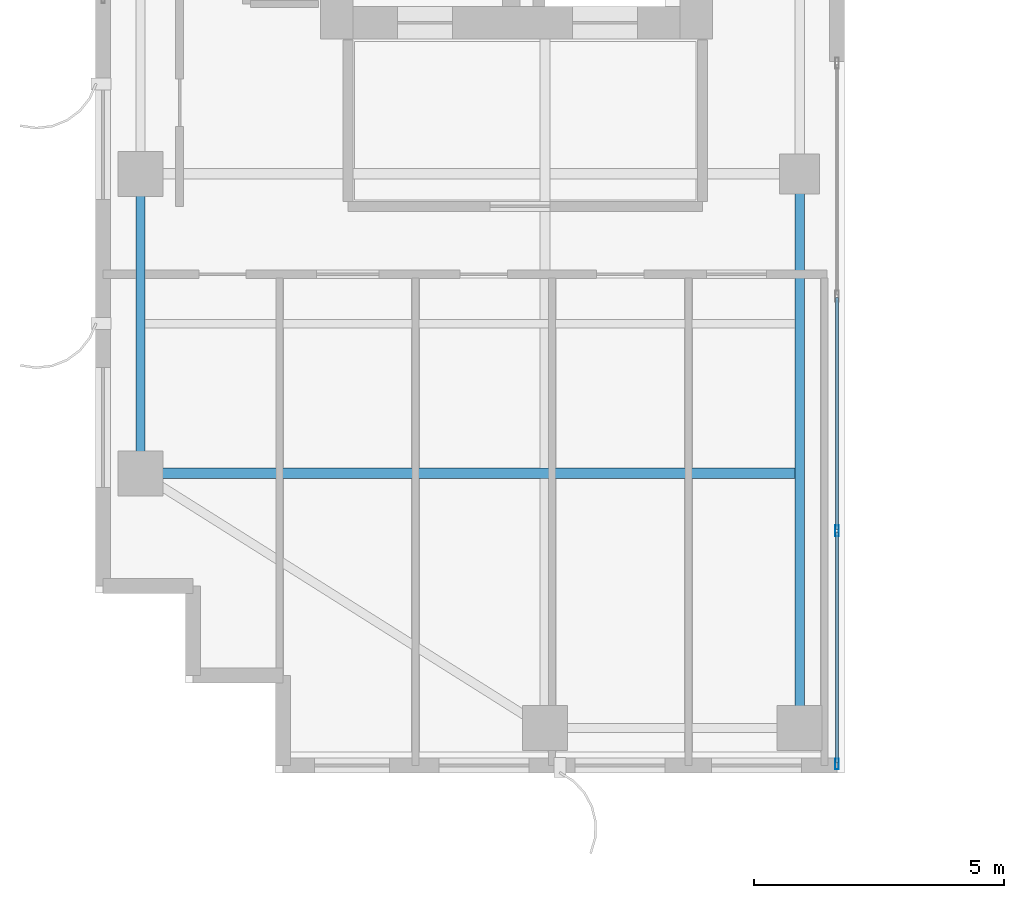
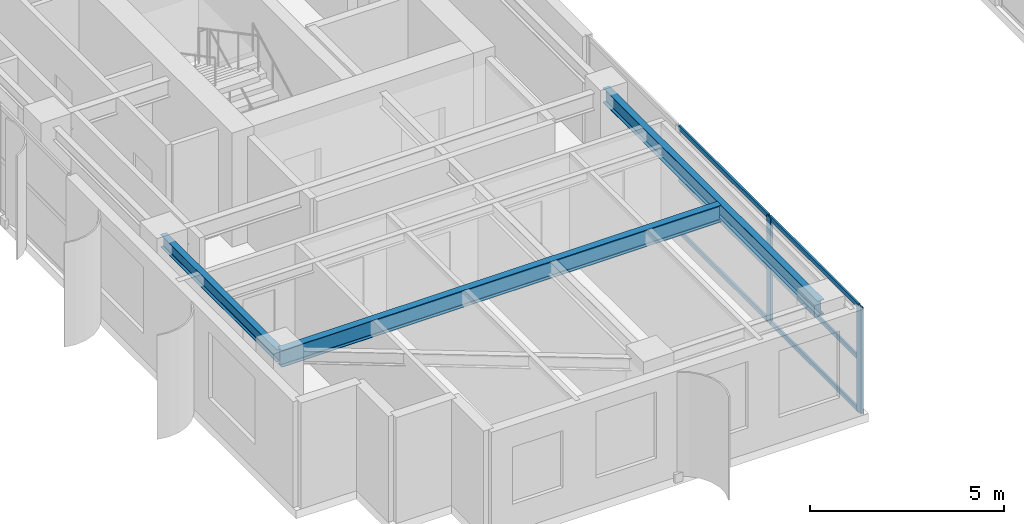
# One storey, part 2 of 22: 8 members, 3 beams, 1 element without a shape of its own.
"""IFC4 building model written with IfcOpenShell, lengths in metres."""

from ifc_helpers import new_model, si_unit, direction, frame, origin, origin_2d, place, context, subcontext, project, spatial, hollow_rectangle, i_section, extrude, source, transform, mapped, material, layer, layer_set, material_profile, profile_set, type_object, element, aggregate, save


model = new_model("IFC4")

# Units and contexts
model_context = context("Model", 3, precision=1e-05, world=origin(), true_north=direction((0.0, 1.0)))
body_context = subcontext(model_context, "Body", "Model", "MODEL_VIEW")
ifc_project = project(units=[si_unit("LENGTHUNIT", "METRE"), si_unit("AREAUNIT", "SQUARE_METRE"), si_unit("VOLUMEUNIT", "CUBIC_METRE"), si_unit("PLANEANGLEUNIT", "RADIAN"), si_unit("MASSUNIT", "GRAM", prefix="KILO")], contexts=[model_context])

# Site, building, storey
site_placement = place(None, origin())
site = spatial("IfcSite", under=ifc_project, at=site_placement, CompositionType="ELEMENT")
building_placement = place(site_placement, origin())
building = spatial("IfcBuilding", under=site, at=building_placement, Name="Khoralis Quay Care Tower", CompositionType="ELEMENT")
storey_placement = place(building_placement, frame((0.0, 0.0, 195.300048828125)))
storey = spatial("IfcBuildingStorey", under=building, at=storey_placement, Name="L51", CompositionType="ELEMENT", Elevation=195.300048828125)

# Beams
ifc_material_1 = material(Name="Steel S355", Category="steel")
ifc_material_profile_1 = material_profile(ifc_material_1, i_section(OverallWidth=0.179931640625, OverallDepth=0.39990234375, WebThickness=0.008544921875, FlangeThickness=0.013427734375, FilletRadius=0.02099609375, at=origin_2d()), Name="Steel S355")
ifc_profile_set_1 = profile_set([ifc_material_profile_1], Name="Steel S355")
beam_type_1 = type_object("IfcBeamType", Name="BM-IPE400", PredefinedType="SPANDREL", material=ifc_profile_set_1)
shared_shape_1 = source(origin(), body_context, "Body", "SweptSolid", [
    extrude(i_section(OverallWidth=0.179931640625, OverallDepth=0.39990234375, WebThickness=0.008544921875, FlangeThickness=0.013427734375, FilletRadius=0.02099609375, at=origin_2d()), origin(), (0.0, 0.0, 1.0), 6.0),
])
beam_1_placement = place(storey_placement, frame((3.89990234375, 6.0, 3.139892578125), z_axis=(0.0, 1.0, 0.0), x_axis=(-1.0, 0.0, 0.0)))
element("IfcBeam", 1, at=beam_1_placement, inside=storey, type_object=beam_type_1, Name="BM-TSP-L51-05", PredefinedType="SPANDREL", context=body_context, shape_type="MappedRepresentation", body=[
    mapped(shared_shape_1, transform((0.0, 0.0, 0.0), scale=1.0)),
])
ifc_material_profile_2 = material_profile(ifc_material_1, i_section(OverallWidth=0.208984375, OverallDepth=0.532958984375, WebThickness=0.01025390625, FlangeThickness=0.015625, FilletRadius=0.01611328125, at=origin_2d()), Name="Steel S355")
ifc_profile_set_2 = profile_set([ifc_material_profile_2], Name="Steel S355")
beam_type_2 = type_object("IfcBeamType", Name="BM-W530X92", PredefinedType="BEAM", material=ifc_profile_set_2)
shared_shape_2 = source(origin(), body_context, "Body", "SweptSolid", [
    extrude(i_section(OverallWidth=0.208984375, OverallDepth=0.532958984375, WebThickness=0.01025390625, FlangeThickness=0.015625, FilletRadius=0.01611328125, at=origin_2d()), origin(), (0.0, 0.0, 1.0), 13.1162109375),
])
beam_2_placement = place(storey_placement, frame((3.89990234375, 6.0, 3.073486328125), z_axis=(1.0, 0.0, 0.0), x_axis=(0.0, 1.0, 0.0)))
element("IfcBeam", 2, at=beam_2_placement, inside=storey, type_object=beam_type_2, Name="BM-TGXW-L51-60", PredefinedType="BEAM", context=body_context, shape_type="MappedRepresentation", body=[
    mapped(shared_shape_2, transform((0.0, 0.0, 0.0), scale=1.0)),
])
ifc_material_profile_3 = material_profile(ifc_material_1, i_section(OverallWidth=0.19189453125, OverallDepth=0.462890625, WebThickness=0.010498046875, FlangeThickness=0.017578125, FilletRadius=0.014892578125, at=origin_2d()), Name="Steel S355")
ifc_profile_set_3 = profile_set([ifc_material_profile_3], Name="Steel S355")
beam_type_3 = type_object("IfcBeamType", Name="BM-W460X89", PredefinedType="BEAM", material=ifc_profile_set_3)
shared_shape_3 = source(origin(), body_context, "Body", "SweptSolid", [
    extrude(i_section(OverallWidth=0.19189453125, OverallDepth=0.462890625, WebThickness=0.010498046875, FlangeThickness=0.017578125, FilletRadius=0.014892578125, at=origin_2d()), origin(), (0.0, 0.0, 1.0), 11.10009765625),
])
beam_3_placement = place(storey_placement, frame((17.10009765625, 0.89990234375, 3.1083984375), z_axis=(0.0, 1.0, 0.0), x_axis=(-1.0, 0.0, 0.0)))
element("IfcBeam", 3, at=beam_3_placement, inside=storey, type_object=beam_type_3, Name="BM-TGYS-L51-171", PredefinedType="BEAM", context=body_context, shape_type="MappedRepresentation", body=[
    mapped(shared_shape_3, transform((0.0, 0.0, 0.0), scale=1.0)),
])

# Curtain wall, members
ifc_material_2 = material(Name="Pale anodised aluminium", Category="aluminium")
ifc_layer = layer(ifc_material_2, 0.18994140625)
ifc_layer_set = layer_set([ifc_layer], Name="Pale anodised aluminium")
curtain_wall_type = type_object("IfcCurtainWallType", Name="CW-SYS-PORTAL", PredefinedType="NOTDEFINED", material=ifc_layer_set)
curtain_wall_placement = place(storey_placement, origin())
curtain_wall = element("IfcCurtainWall", 4, at=curtain_wall_placement, inside=storey, type_object=curtain_wall_type, Name="L51 Unitised Curtain Wall CW-VP-L51-P1-S", PredefinedType="NOTDEFINED")
ifc_material_profile_4 = material_profile(ifc_material_2, hollow_rectangle(XDim=0.06005859375, YDim=0.139892578125, WallThickness=0.00390625, at=origin_2d()), Name="Pale anodised aluminium")
ifc_profile_set_4 = profile_set([ifc_material_profile_4], Name="Pale anodised aluminium")
member_type_1 = type_object("IfcMemberType", Name="CW-TRN-140", PredefinedType="USERDEFINED", material=ifc_profile_set_4)
shared_shape_4 = source(origin(), body_context, "Body", "SweptSolid", [
    extrude(hollow_rectangle(XDim=0.06005859375, YDim=0.139892578125, WallThickness=0.00390625, at=origin_2d()), origin(), (0.0, 0.0, 1.0), 4.610107421875),
])
member_1_placement = place(storey_placement, frame((17.85009765625, 0.2099609375, 0.030029296875), z_axis=(0.0, 1.0, 0.0), x_axis=(-1.0, 0.0, 0.0)))
member_1 = element("IfcMember", 5, at=member_1_placement, type_object=member_type_1, Name="CW4 transom 1.1", ObjectType="TRANSOM", PredefinedType="USERDEFINED", context=body_context, shape_type="MappedRepresentation", body=[
    mapped(shared_shape_4, transform((0.0, 0.0, 0.0), scale=1.0)),
])
member_2_placement = place(storey_placement, frame((17.85009765625, 0.2099609375, 1.669921875), z_axis=(0.0, 1.0, 0.0), x_axis=(-1.0, 0.0, 0.0)))
member_2 = element("IfcMember", 6, at=member_2_placement, type_object=member_type_1, Name="CW4 transom 1.2", ObjectType="TRANSOM", PredefinedType="USERDEFINED", context=body_context, shape_type="MappedRepresentation", body=[
    mapped(shared_shape_4, transform((0.0, 0.0, 0.0), scale=1.0)),
])
member_3_placement = place(storey_placement, frame((17.85009765625, 0.2099609375, 3.31005859375), z_axis=(0.0, 1.0, 0.0), x_axis=(-1.0, 0.0, 0.0)))
member_3 = element("IfcMember", 7, at=member_3_placement, type_object=member_type_1, Name="CW4 transom 1.3", ObjectType="TRANSOM", PredefinedType="USERDEFINED", context=body_context, shape_type="MappedRepresentation", body=[
    mapped(shared_shape_4, transform((0.0, 0.0, 0.0), scale=1.0)),
])
shared_shape_5 = source(origin(), body_context, "Body", "SweptSolid", [
    extrude(hollow_rectangle(XDim=0.06005859375, YDim=0.139892578125, WallThickness=0.00390625, at=origin_2d()), origin(), (0.0, 0.0, 1.0), 4.64013671875),
])
member_4_placement = place(storey_placement, frame((17.85009765625, 4.8798828125, 0.030029296875), z_axis=(0.0, 1.0, 0.0), x_axis=(-1.0, 0.0, 0.0)))
member_4 = element("IfcMember", 8, at=member_4_placement, type_object=member_type_1, Name="CW4 transom 2.1", ObjectType="TRANSOM", PredefinedType="USERDEFINED", context=body_context, shape_type="MappedRepresentation", body=[
    mapped(shared_shape_5, transform((0.0, 0.0, 0.0), scale=1.0)),
])
member_5_placement = place(storey_placement, frame((17.85009765625, 4.8798828125, 1.669921875), z_axis=(0.0, 1.0, 0.0), x_axis=(-1.0, 0.0, 0.0)))
member_5 = element("IfcMember", 9, at=member_5_placement, type_object=member_type_1, Name="CW4 transom 2.2", ObjectType="TRANSOM", PredefinedType="USERDEFINED", context=body_context, shape_type="MappedRepresentation", body=[
    mapped(shared_shape_5, transform((0.0, 0.0, 0.0), scale=1.0)),
])
member_6_placement = place(storey_placement, frame((17.85009765625, 4.8798828125, 3.31005859375), z_axis=(0.0, 1.0, 0.0), x_axis=(-1.0, 0.0, 0.0)))
member_6 = element("IfcMember", 10, at=member_6_placement, type_object=member_type_1, Name="CW4 transom 2.3", ObjectType="TRANSOM", PredefinedType="USERDEFINED", context=body_context, shape_type="MappedRepresentation", body=[
    mapped(shared_shape_5, transform((0.0, 0.0, 0.0), scale=1.0)),
])
ifc_material_profile_5 = material_profile(ifc_material_2, hollow_rectangle(XDim=0.074951171875, YDim=0.219970703125, WallThickness=0.00390625, at=origin_2d()), Name="Pale anodised aluminium")
ifc_profile_set_5 = profile_set([ifc_material_profile_5], Name="Pale anodised aluminium")
member_type_2 = type_object("IfcMemberType", Name="CW-MUL-220", PredefinedType="MULLION", material=ifc_profile_set_5)
shared_shape_6 = source(origin(), body_context, "Body", "SweptSolid", [
    extrude(hollow_rectangle(XDim=0.074951171875, YDim=0.219970703125, WallThickness=0.00390625, at=origin_2d()), origin(), (0.0, 0.0, 1.0), 3.33984375),
])
member_7_placement = place(storey_placement, frame((17.85009765625, 0.179931640625, 0.0), z_axis=(0.0, 0.0, 1.0), x_axis=(-1.0, 0.0, 0.0)))
member_7 = element("IfcMember", 11, at=member_7_placement, type_object=member_type_2, Name="CW4 mullion 1", PredefinedType="MULLION", context=body_context, shape_type="MappedRepresentation", body=[
    mapped(shared_shape_6, transform((0.0, 0.0, 0.0), scale=1.0)),
])
member_8_placement = place(storey_placement, frame((17.85009765625, 4.85009765625, 0.0), z_axis=(0.0, 0.0, 1.0), x_axis=(-1.0, 0.0, 0.0)))
member_8 = element("IfcMember", 12, at=member_8_placement, type_object=member_type_2, Name="CW4 mullion 2", PredefinedType="MULLION", context=body_context, shape_type="MappedRepresentation", body=[
    mapped(shared_shape_6, transform((0.0, 0.0, 0.0), scale=1.0)),
])
aggregate(curtain_wall, [member_7, member_8, member_1, member_2, member_3, member_4, member_5, member_6])

save(model, "model.ifc")
